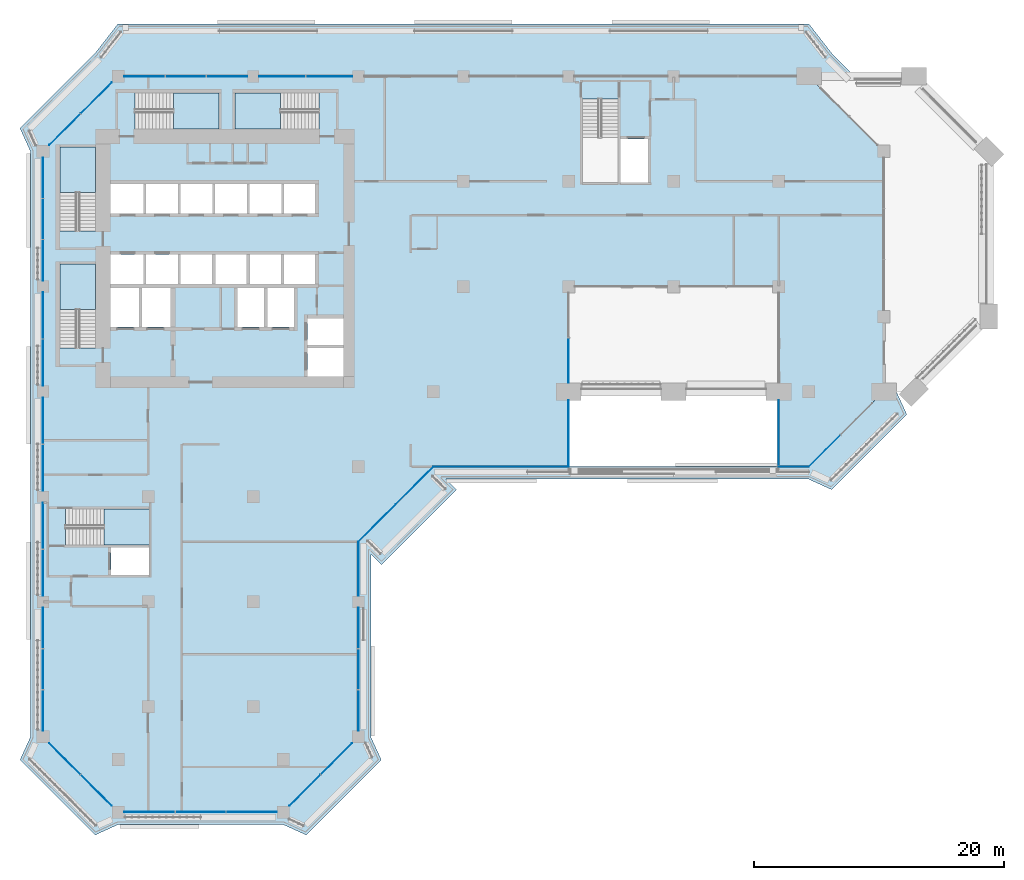
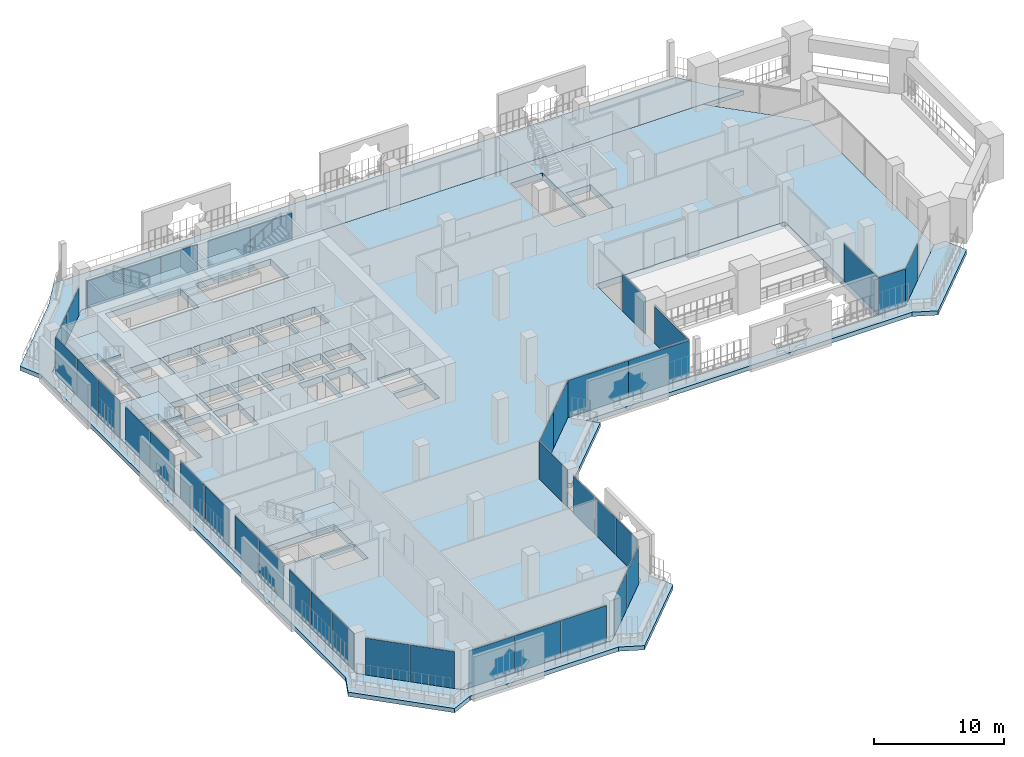
# One storey, part 9 of 23: 39 plates, 7 slabs, 18 elements without a shape of their own.
"""IFC4 building model written with IfcOpenShell, lengths in metres."""

from ifc_helpers import new_model, si_unit, direction, frame, origin, origin_2d, place, context, subcontext, project, spatial, polyline, rectangle, outline, extrude, material, layer, layer_set, type_object, element, aggregate, save


model = new_model("IFC4")

# Units and contexts
model_context = context("Model", 3, precision=1e-05, world=origin(), true_north=direction((0.0, 1.0)))
body_context = subcontext(model_context, "Body", "Model", "MODEL_VIEW")
ifc_project = project(units=[si_unit("LENGTHUNIT", "METRE"), si_unit("AREAUNIT", "SQUARE_METRE"), si_unit("VOLUMEUNIT", "CUBIC_METRE"), si_unit("PLANEANGLEUNIT", "RADIAN"), si_unit("MASSUNIT", "GRAM", prefix="KILO")], contexts=[model_context])

# Site, building, storey
site_placement = place(None, origin())
site = spatial("IfcSite", under=ifc_project, at=site_placement, CompositionType="ELEMENT")
building_placement = place(site_placement, origin())
building = spatial("IfcBuilding", under=site, at=building_placement, Name="Kawkab Arch Medical Tower", CompositionType="ELEMENT")
storey_placement = place(building_placement, frame((0.0, 0.0, 158.39990234375)))
storey = spatial("IfcBuildingStorey", under=building, at=storey_placement, Name="L36", CompositionType="ELEMENT", Elevation=158.39990234375)

# Curtain wall, plates
ifc_material_1 = material(Name="Bronze anodised aluminium curtain wall frame", Category="aluminium")
ifc_layer_1 = layer(ifc_material_1, 0.159912109375)
ifc_layer_set_1 = layer_set([ifc_layer_1], Name="Bronze anodised aluminium curtain wall frame")
curtain_wall_type_1 = type_object("IfcCurtainWallType", Name="CW1 ward curtain wall", PredefinedType="NOTDEFINED", material=ifc_layer_set_1)
placement_1 = place(storey_placement, origin())
curtain_wall_1 = element("IfcCurtainWall", 1, at=placement_1, inside=storey, type_object=curtain_wall_type_1, Name="CW1 Ward curtain wall R01", PredefinedType="NOTDEFINED")
ifc_material_2 = material(Name="Tinted insulating glass, bronze low-e coating", Category="glass")
ifc_layer_2 = layer(ifc_material_2, 0.031982421875)
ifc_layer_set_2 = layer_set([ifc_layer_2], Name="Tinted insulating glass, bronze low-e coating")
plate_type_1 = type_object("IfcPlateType", Name="CW1 glazing unit 32", PredefinedType="CURTAIN_PANEL", material=ifc_layer_set_2)
plate_1_placement = place(storey_placement, frame((33.89990234375, -31.199951171875, 0.0), z_axis=(0.0, 0.0, 1.0), x_axis=(1.0, 0.0, 0.0)))
plate_1 = element("IfcPlate", 2, at=plate_1_placement, type_object=plate_type_1, Name="CW1 glazing unit 1.1", PredefinedType="CURTAIN_PANEL", context=body_context, shape_type="SweptSolid", body=[
    extrude(rectangle(XDim=5.39990234375, YDim=0.031982421875, at=origin_2d()), origin(), (0.0, 0.0, 1.0), 3.47998046875),
])
plate_2_placement = place(storey_placement, frame((39.300048828125, -31.199951171875, 0.0), z_axis=(0.0, 0.0, 1.0), x_axis=(1.0, 0.0, 0.0)))
plate_2 = element("IfcPlate", 3, at=plate_2_placement, type_object=plate_type_1, Name="CW1 glazing unit 2.1", PredefinedType="CURTAIN_PANEL", context=body_context, shape_type="SweptSolid", body=[
    extrude(rectangle(XDim=5.39990234375, YDim=0.031982421875, at=origin_2d()), origin(), (0.0, 0.0, 1.0), 3.47998046875),
])
aggregate(curtain_wall_1, [plate_1, plate_2])

# Curtain wall, plate
curtain_wall_2 = element("IfcCurtainWall", 4, at=placement_1, inside=storey, type_object=curtain_wall_type_1, Name="CW1 Ward curtain wall R05", PredefinedType="NOTDEFINED")
plate_3_placement = place(storey_placement, frame((60.0, -31.199951171875, 0.0), z_axis=(0.0, 0.0, 1.0), x_axis=(1.0, 0.0, 0.0)))
plate_3 = element("IfcPlate", 5, at=plate_3_placement, type_object=plate_type_1, Name="CW1 glazing unit 1.1", PredefinedType="CURTAIN_PANEL", context=body_context, shape_type="SweptSolid", body=[
    extrude(rectangle(XDim=2.39990234375, YDim=0.031982421875, at=origin_2d()), origin(), (0.0, 0.0, 1.0), 3.47998046875),
])
aggregate(curtain_wall_2, [plate_3])

# Curtain wall, plates
curtain_wall_3 = element("IfcCurtainWall", 6, at=placement_1, inside=storey, type_object=curtain_wall_type_1, Name="CW1 Ward curtain wall R09", PredefinedType="NOTDEFINED")
plate_4_placement = place(storey_placement, frame((22.87744140625, 0.0, 0.0), z_axis=(0.0, 0.0, 1.0), x_axis=(-1.0, 0.0, 0.0)))
plate_4 = element("IfcPlate", 7, at=plate_4_placement, type_object=plate_type_1, Name="CW1 glazing unit 5.1", PredefinedType="CURTAIN_PANEL", context=body_context, shape_type="SweptSolid", body=[
    extrude(rectangle(XDim=3.695068359375, YDim=0.031982421875, at=origin_2d()), origin(), (0.0, 0.0, 1.0), 2.580078125),
])
plate_5_placement = place(storey_placement, frame((19.12255859375, 0.0, 0.0), z_axis=(0.0, 0.0, 1.0), x_axis=(-1.0, 0.0, 0.0)))
plate_5 = element("IfcPlate", 8, at=plate_5_placement, type_object=plate_type_1, Name="CW1 glazing unit 5.2", PredefinedType="CURTAIN_PANEL", context=body_context, shape_type="SweptSolid", body=[
    extrude(rectangle(XDim=3.695068359375, YDim=0.031982421875, at=origin_2d()), origin(), (0.0, 0.0, 1.0), 2.580078125),
])
plate_6_placement = place(storey_placement, frame((14.702392578125, 0.0, 0.0), z_axis=(0.0, 0.0, 1.0), x_axis=(-1.0, 0.0, 0.0)))
plate_6 = element("IfcPlate", 9, at=plate_6_placement, type_object=plate_type_1, Name="CW1 glazing unit 6.1", PredefinedType="CURTAIN_PANEL", context=body_context, shape_type="SweptSolid", body=[
    extrude(rectangle(XDim=3.2451171875, YDim=0.031982421875, at=origin_2d()), origin(), (0.0, 0.0, 1.0), 2.580078125),
])
plate_7_placement = place(storey_placement, frame((11.41259765625, 0.0, 0.0), z_axis=(0.0, 0.0, 1.0), x_axis=(-1.0, 0.0, 0.0)))
plate_7 = element("IfcPlate", 10, at=plate_7_placement, type_object=plate_type_1, Name="CW1 glazing unit 6.2", PredefinedType="CURTAIN_PANEL", context=body_context, shape_type="SweptSolid", body=[
    extrude(rectangle(XDim=3.215087890625, YDim=0.031982421875, at=origin_2d()), origin(), (0.0, 0.0, 1.0), 2.580078125),
])
plate_8_placement = place(storey_placement, frame((8.12255859375, 0.0, 0.0), z_axis=(0.0, 0.0, 1.0), x_axis=(-1.0, 0.0, 0.0)))
plate_8 = element("IfcPlate", 11, at=plate_8_placement, type_object=plate_type_1, Name="CW1 glazing unit 6.3", PredefinedType="CURTAIN_PANEL", context=body_context, shape_type="SweptSolid", body=[
    extrude(rectangle(XDim=3.2451171875, YDim=0.031982421875, at=origin_2d()), origin(), (0.0, 0.0, 1.0), 2.580078125),
])
aggregate(curtain_wall_3, [plate_4, plate_5, plate_6, plate_7, plate_8])

curtain_wall_4 = element("IfcCurtainWall", 12, at=placement_1, inside=storey, type_object=curtain_wall_type_1, Name="CW1 Ward curtain wall R11", PredefinedType="NOTDEFINED")
plate_9_placement = place(storey_placement, frame((0.0, -8.12255859375, 0.0), z_axis=(0.0, 0.0, 1.0), x_axis=(0.0, -1.0, 0.0)))
plate_9 = element("IfcPlate", 13, at=plate_9_placement, type_object=plate_type_1, Name="CW1 glazing unit 1.1", PredefinedType="CURTAIN_PANEL", context=body_context, shape_type="SweptSolid", body=[
    extrude(rectangle(XDim=3.2451171875, YDim=0.031982421875, at=origin_2d()), origin(), (0.0, 0.0, 1.0), 3.47998046875),
])
plate_10_placement = place(storey_placement, frame((0.0, -11.41259765625, 0.0), z_axis=(0.0, 0.0, 1.0), x_axis=(0.0, -1.0, 0.0)))
plate_10 = element("IfcPlate", 14, at=plate_10_placement, type_object=plate_type_1, Name="CW1 glazing unit 1.2", PredefinedType="CURTAIN_PANEL", context=body_context, shape_type="SweptSolid", body=[
    extrude(rectangle(XDim=3.215087890625, YDim=0.031982421875, at=origin_2d()), origin(), (0.0, 0.0, 1.0), 3.47998046875),
])
plate_11_placement = place(storey_placement, frame((0.0, -14.702392578125, 0.0), z_axis=(0.0, 0.0, 1.0), x_axis=(0.0, -1.0, 0.0)))
plate_11 = element("IfcPlate", 15, at=plate_11_placement, type_object=plate_type_1, Name="CW1 glazing unit 1.3", PredefinedType="CURTAIN_PANEL", context=body_context, shape_type="SweptSolid", body=[
    extrude(rectangle(XDim=3.2451171875, YDim=0.031982421875, at=origin_2d()), origin(), (0.0, 0.0, 1.0), 3.47998046875),
])
plate_12_placement = place(storey_placement, frame((0.0, -19.12255859375, 0.0), z_axis=(0.0, 0.0, 1.0), x_axis=(0.0, -1.0, 0.0)))
plate_12 = element("IfcPlate", 16, at=plate_12_placement, type_object=plate_type_1, Name="CW1 glazing unit 2.1", PredefinedType="CURTAIN_PANEL", context=body_context, shape_type="SweptSolid", body=[
    extrude(rectangle(XDim=3.695068359375, YDim=0.031982421875, at=origin_2d()), origin(), (0.0, 0.0, 1.0), 3.47998046875),
])
plate_13_placement = place(storey_placement, frame((0.0, -22.87744140625, 0.0), z_axis=(0.0, 0.0, 1.0), x_axis=(0.0, -1.0, 0.0)))
plate_13 = element("IfcPlate", 17, at=plate_13_placement, type_object=plate_type_1, Name="CW1 glazing unit 2.2", PredefinedType="CURTAIN_PANEL", context=body_context, shape_type="SweptSolid", body=[
    extrude(rectangle(XDim=3.695068359375, YDim=0.031982421875, at=origin_2d()), origin(), (0.0, 0.0, 1.0), 3.47998046875),
])
plate_14_placement = place(storey_placement, frame((0.0, -27.5224609375, 0.0), z_axis=(0.0, 0.0, 1.0), x_axis=(0.0, -1.0, 0.0)))
plate_14 = element("IfcPlate", 18, at=plate_14_placement, type_object=plate_type_1, Name="CW1 glazing unit 3.1", PredefinedType="CURTAIN_PANEL", context=body_context, shape_type="SweptSolid", body=[
    extrude(rectangle(XDim=3.695068359375, YDim=0.031982421875, at=origin_2d()), origin(), (0.0, 0.0, 1.0), 3.47998046875),
])
plate_15_placement = place(storey_placement, frame((0.0, -31.277587890625, 0.0), z_axis=(0.0, 0.0, 1.0), x_axis=(0.0, -1.0, 0.0)))
plate_15 = element("IfcPlate", 19, at=plate_15_placement, type_object=plate_type_1, Name="CW1 glazing unit 3.2", PredefinedType="CURTAIN_PANEL", context=body_context, shape_type="SweptSolid", body=[
    extrude(rectangle(XDim=3.695068359375, YDim=0.031982421875, at=origin_2d()), origin(), (0.0, 0.0, 1.0), 3.47998046875),
])
plate_16_placement = place(storey_placement, frame((0.0, -35.922607421875, 0.0), z_axis=(0.0, 0.0, 1.0), x_axis=(0.0, -1.0, 0.0)))
plate_16 = element("IfcPlate", 20, at=plate_16_placement, type_object=plate_type_1, Name="CW1 glazing unit 4.1", PredefinedType="CURTAIN_PANEL", context=body_context, shape_type="SweptSolid", body=[
    extrude(rectangle(XDim=3.695068359375, YDim=0.031982421875, at=origin_2d()), origin(), (0.0, 0.0, 1.0), 3.47998046875),
])
plate_17_placement = place(storey_placement, frame((0.0, -39.677490234375, 0.0), z_axis=(0.0, 0.0, 1.0), x_axis=(0.0, -1.0, 0.0)))
plate_17 = element("IfcPlate", 21, at=plate_17_placement, type_object=plate_type_1, Name="CW1 glazing unit 4.2", PredefinedType="CURTAIN_PANEL", context=body_context, shape_type="SweptSolid", body=[
    extrude(rectangle(XDim=3.695068359375, YDim=0.031982421875, at=origin_2d()), origin(), (0.0, 0.0, 1.0), 3.47998046875),
])
plate_18_placement = place(storey_placement, frame((0.0, -44.097412109375, 0.0), z_axis=(0.0, 0.0, 1.0), x_axis=(0.0, -1.0, 0.0)))
plate_18 = element("IfcPlate", 22, at=plate_18_placement, type_object=plate_type_1, Name="CW1 glazing unit 5.1", PredefinedType="CURTAIN_PANEL", context=body_context, shape_type="SweptSolid", body=[
    extrude(rectangle(XDim=3.2451171875, YDim=0.031982421875, at=origin_2d()), origin(), (0.0, 0.0, 1.0), 3.47998046875),
])
plate_19_placement = place(storey_placement, frame((0.0, -47.387451171875, 0.0), z_axis=(0.0, 0.0, 1.0), x_axis=(0.0, -1.0, 0.0)))
plate_19 = element("IfcPlate", 23, at=plate_19_placement, type_object=plate_type_1, Name="CW1 glazing unit 5.2", PredefinedType="CURTAIN_PANEL", context=body_context, shape_type="SweptSolid", body=[
    extrude(rectangle(XDim=3.215087890625, YDim=0.031982421875, at=origin_2d()), origin(), (0.0, 0.0, 1.0), 3.47998046875),
])
plate_20_placement = place(storey_placement, frame((0.0, -50.677490234375, 0.0), z_axis=(0.0, 0.0, 1.0), x_axis=(0.0, -1.0, 0.0)))
plate_20 = element("IfcPlate", 24, at=plate_20_placement, type_object=plate_type_1, Name="CW1 glazing unit 5.3", PredefinedType="CURTAIN_PANEL", context=body_context, shape_type="SweptSolid", body=[
    extrude(rectangle(XDim=3.2451171875, YDim=0.031982421875, at=origin_2d()), origin(), (0.0, 0.0, 1.0), 3.47998046875),
])
aggregate(curtain_wall_4, [plate_9, plate_10, plate_11, plate_12, plate_13, plate_14, plate_15, plate_16, plate_17, plate_18, plate_19, plate_20])

curtain_wall_5 = element("IfcCurtainWall", 25, at=placement_1, inside=storey, type_object=curtain_wall_type_1, Name="CW1 Ward curtain wall R13", PredefinedType="NOTDEFINED")
plate_21_placement = place(storey_placement, frame((8.518310546875, -58.800048828125, 0.0), z_axis=(0.0, 0.0, 1.0), x_axis=(1.0, 0.0, 0.0)))
plate_21 = element("IfcPlate", 26, at=plate_21_placement, type_object=plate_type_1, Name="CW1 glazing unit 1.1", PredefinedType="CURTAIN_PANEL", context=body_context, shape_type="SweptSolid", body=[
    extrude(rectangle(XDim=4.03662109375, YDim=0.031982421875, at=origin_2d()), origin(), (0.0, 0.0, 1.0), 3.47998046875),
])
plate_22_placement = place(storey_placement, frame((12.60009765625, -58.800048828125, 0.0), z_axis=(0.0, 0.0, 1.0), x_axis=(1.0, 0.0, 0.0)))
plate_22 = element("IfcPlate", 27, at=plate_22_placement, type_object=plate_type_1, Name="CW1 glazing unit 1.2", PredefinedType="CURTAIN_PANEL", context=body_context, shape_type="SweptSolid", body=[
    extrude(rectangle(XDim=4.006591796875, YDim=0.031982421875, at=origin_2d()), origin(), (0.0, 0.0, 1.0), 3.47998046875),
])
plate_23_placement = place(storey_placement, frame((16.681640625, -58.800048828125, 0.0), z_axis=(0.0, 0.0, 1.0), x_axis=(1.0, 0.0, 0.0)))
plate_23 = element("IfcPlate", 28, at=plate_23_placement, type_object=plate_type_1, Name="CW1 glazing unit 1.3", PredefinedType="CURTAIN_PANEL", context=body_context, shape_type="SweptSolid", body=[
    extrude(rectangle(XDim=4.03662109375, YDim=0.031982421875, at=origin_2d()), origin(), (0.0, 0.0, 1.0), 3.47998046875),
])
aggregate(curtain_wall_5, [plate_21, plate_22, plate_23])

curtain_wall_6 = element("IfcCurtainWall", 29, at=placement_1, inside=storey, type_object=curtain_wall_type_1, Name="CW1 Ward curtain wall R15", PredefinedType="NOTDEFINED")
plate_24_placement = place(storey_placement, frame((25.199951171875, -50.677490234375, 0.0), z_axis=(0.0, 0.0, 1.0), x_axis=(0.0, 1.0, 0.0)))
plate_24 = element("IfcPlate", 30, at=plate_24_placement, type_object=plate_type_1, Name="CW1 glazing unit 1.1", PredefinedType="CURTAIN_PANEL", context=body_context, shape_type="SweptSolid", body=[
    extrude(rectangle(XDim=3.2451171875, YDim=0.031982421875, at=origin_2d()), origin(), (0.0, 0.0, 1.0), 3.47998046875),
])
plate_25_placement = place(storey_placement, frame((25.199951171875, -47.387451171875, 0.0), z_axis=(0.0, 0.0, 1.0), x_axis=(0.0, 1.0, 0.0)))
plate_25 = element("IfcPlate", 31, at=plate_25_placement, type_object=plate_type_1, Name="CW1 glazing unit 1.2", PredefinedType="CURTAIN_PANEL", context=body_context, shape_type="SweptSolid", body=[
    extrude(rectangle(XDim=3.215087890625, YDim=0.031982421875, at=origin_2d()), origin(), (0.0, 0.0, 1.0), 3.47998046875),
])
plate_26_placement = place(storey_placement, frame((25.199951171875, -44.097412109375, 0.0), z_axis=(0.0, 0.0, 1.0), x_axis=(0.0, 1.0, 0.0)))
plate_26 = element("IfcPlate", 32, at=plate_26_placement, type_object=plate_type_1, Name="CW1 glazing unit 1.3", PredefinedType="CURTAIN_PANEL", context=body_context, shape_type="SweptSolid", body=[
    extrude(rectangle(XDim=3.2451171875, YDim=0.031982421875, at=origin_2d()), origin(), (0.0, 0.0, 1.0), 3.47998046875),
])
plate_27_placement = place(storey_placement, frame((25.199951171875, -39.362548828125, 0.0), z_axis=(0.0, 0.0, 1.0), x_axis=(0.0, 1.0, 0.0)))
plate_27 = element("IfcPlate", 33, at=plate_27_placement, type_object=plate_type_1, Name="CW1 glazing unit 2.1", PredefinedType="CURTAIN_PANEL", context=body_context, shape_type="SweptSolid", body=[
    extrude(rectangle(XDim=4.324951171875, YDim=0.031982421875, at=origin_2d()), origin(), (0.0, 0.0, 1.0), 3.47998046875),
])
aggregate(curtain_wall_6, [plate_24, plate_25, plate_26, plate_27])

# Curtain wall, plate
ifc_material_3 = material(Name="Bronze anodised aluminium curtain wall frame", Category="aluminium")
ifc_layer_3 = layer(ifc_material_3, 0.159912109375)
ifc_layer_set_3 = layer_set([ifc_layer_3], Name="Bronze anodised aluminium curtain wall frame")
curtain_wall_type_2 = type_object("IfcCurtainWallType", Name="CW2 chamfer curtain wall", PredefinedType="NOTDEFINED", material=ifc_layer_set_3)
curtain_wall_7 = element("IfcCurtainWall", 34, at=placement_1, inside=storey, type_object=curtain_wall_type_2, Name="CW2 Chamfer curtain wall R06", PredefinedType="NOTDEFINED")
ifc_material_4 = material(Name="Tinted insulating glass, bronze low-e coating", Category="glass")
ifc_layer_4 = layer(ifc_material_4, 0.031982421875)
ifc_layer_set_4 = layer_set([ifc_layer_4], Name="Tinted insulating glass, bronze low-e coating")
plate_type_2 = type_object("IfcPlateType", Name="CW2 glazing unit 32", PredefinedType="CURTAIN_PANEL", material=ifc_layer_set_4)
plate_28_placement = place(storey_placement, frame((62.456787109375, -29.943115234375, 0.0), z_axis=(0.0, 0.0, 1.0), x_axis=(0.707106781187, 0.707106781187, 0.0)))
plate_28 = element("IfcPlate", 35, at=plate_28_placement, type_object=plate_type_2, Name="CW2 glazing unit 1.1", PredefinedType="CURTAIN_PANEL", context=body_context, shape_type="SweptSolid", body=[
    extrude(rectangle(XDim=3.5546875, YDim=0.031982421875, at=origin_2d()), origin(), (0.0, 0.0, 1.0), 3.4599609375),
])
aggregate(curtain_wall_7, [plate_28])

# Curtain wall, plates
curtain_wall_8 = element("IfcCurtainWall", 36, at=placement_1, inside=storey, type_object=curtain_wall_type_2, Name="CW2 Chamfer curtain wall R10", PredefinedType="NOTDEFINED")
plate_29_placement = place(storey_placement, frame((4.260498046875, -1.739501953125, 0.0), z_axis=(0.0, 0.0, 1.0), x_axis=(-0.707106781187, -0.707106781187, 0.0)))
plate_29 = element("IfcPlate", 37, at=plate_29_placement, type_object=plate_type_2, Name="CW2 glazing unit 1.1", PredefinedType="CURTAIN_PANEL", context=body_context, shape_type="SweptSolid", body=[
    extrude(rectangle(XDim=3.505615234375, YDim=0.031982421875, at=origin_2d()), origin(), (0.0, 0.0, 1.0), 2.56005859375),
])
plate_30_placement = place(storey_placement, frame((1.739501953125, -4.260498046875, 0.0), z_axis=(0.0, 0.0, 1.0), x_axis=(-0.707106781187, -0.707106781187, 0.0)))
plate_30 = element("IfcPlate", 38, at=plate_30_placement, type_object=plate_type_2, Name="CW2 glazing unit 1.2", PredefinedType="CURTAIN_PANEL", context=body_context, shape_type="SweptSolid", body=[
    extrude(rectangle(XDim=3.505615234375, YDim=0.031982421875, at=origin_2d()), origin(), (0.0, 0.0, 1.0), 2.56005859375),
])
aggregate(curtain_wall_8, [plate_29, plate_30])

curtain_wall_9 = element("IfcCurtainWall", 39, at=placement_1, inside=storey, type_object=curtain_wall_type_2, Name="CW2 Chamfer curtain wall R12", PredefinedType="NOTDEFINED")
plate_31_placement = place(storey_placement, frame((1.739501953125, -54.539306640625, 0.0), z_axis=(0.0, 0.0, 1.0), x_axis=(0.707106781187, -0.707106781187, 0.0)))
plate_31 = element("IfcPlate", 40, at=plate_31_placement, type_object=plate_type_2, Name="CW2 glazing unit 1.1", PredefinedType="CURTAIN_PANEL", context=body_context, shape_type="SweptSolid", body=[
    extrude(rectangle(XDim=3.505615234375, YDim=0.031982421875, at=origin_2d()), origin(), (0.0, 0.0, 1.0), 3.4599609375),
])
plate_32_placement = place(storey_placement, frame((4.260498046875, -57.060546875, 0.0), z_axis=(0.0, 0.0, 1.0), x_axis=(0.707106781187, -0.707106781187, 0.0)))
plate_32 = element("IfcPlate", 41, at=plate_32_placement, type_object=plate_type_2, Name="CW2 glazing unit 1.2", PredefinedType="CURTAIN_PANEL", context=body_context, shape_type="SweptSolid", body=[
    extrude(rectangle(XDim=3.505615234375, YDim=0.031982421875, at=origin_2d()), origin(), (0.0, 0.0, 1.0), 3.4599609375),
])
aggregate(curtain_wall_9, [plate_31, plate_32])

curtain_wall_10 = element("IfcCurtainWall", 42, at=placement_1, inside=storey, type_object=curtain_wall_type_2, Name="CW2 Chamfer curtain wall R14", PredefinedType="NOTDEFINED")
plate_33_placement = place(storey_placement, frame((20.939453125, -57.060546875, 0.0), z_axis=(0.0, 0.0, 1.0), x_axis=(0.707106781187, 0.707106781187, 0.0)))
plate_33 = element("IfcPlate", 43, at=plate_33_placement, type_object=plate_type_2, Name="CW2 glazing unit 1.1", PredefinedType="CURTAIN_PANEL", context=body_context, shape_type="SweptSolid", body=[
    extrude(rectangle(XDim=3.505615234375, YDim=0.031982421875, at=origin_2d()), origin(), (0.0, 0.0, 1.0), 3.4599609375),
])
plate_34_placement = place(storey_placement, frame((23.460693359375, -54.539306640625, 0.0), z_axis=(0.0, 0.0, 1.0), x_axis=(0.707106781187, 0.707106781187, 0.0)))
plate_34 = element("IfcPlate", 44, at=plate_34_placement, type_object=plate_type_2, Name="CW2 glazing unit 1.2", PredefinedType="CURTAIN_PANEL", context=body_context, shape_type="SweptSolid", body=[
    extrude(rectangle(XDim=3.505615234375, YDim=0.031982421875, at=origin_2d()), origin(), (0.0, 0.0, 1.0), 3.4599609375),
])
aggregate(curtain_wall_10, [plate_33, plate_34])

curtain_wall_11 = element("IfcCurtainWall", 45, at=placement_1, inside=storey, type_object=curtain_wall_type_2, Name="CW2 Chamfer curtain wall R16", PredefinedType="NOTDEFINED")
plate_35_placement = place(storey_placement, frame((26.699951171875, -35.699951171875, 0.0), z_axis=(0.0, 0.0, 1.0), x_axis=(0.707106781187, 0.707106781187, 0.0)))
plate_35 = element("IfcPlate", 46, at=plate_35_placement, type_object=plate_type_2, Name="CW2 glazing unit 1.1", PredefinedType="CURTAIN_PANEL", context=body_context, shape_type="SweptSolid", body=[
    extrude(rectangle(XDim=4.24267578125, YDim=0.031982421875, at=origin_2d()), origin(), (0.0, 0.0, 1.0), 3.4599609375),
])
plate_36_placement = place(storey_placement, frame((29.699951171875, -32.699951171875, 0.0), z_axis=(0.0, 0.0, 1.0), x_axis=(0.707106781187, 0.707106781187, 0.0)))
plate_36 = element("IfcPlate", 47, at=plate_36_placement, type_object=plate_type_2, Name="CW2 glazing unit 2.1", PredefinedType="CURTAIN_PANEL", context=body_context, shape_type="SweptSolid", body=[
    extrude(rectangle(XDim=4.24267578125, YDim=0.031982421875, at=origin_2d()), origin(), (0.0, 0.0, 1.0), 3.4599609375),
])
aggregate(curtain_wall_11, [plate_35, plate_36])

ifc_material_5 = material(Name="Bronze anodised aluminium curtain wall frame", Category="aluminium")
ifc_layer_5 = layer(ifc_material_5, 0.159912109375)
ifc_layer_set_5 = layer_set([ifc_layer_5], Name="Bronze anodised aluminium curtain wall frame")
curtain_wall_type_3 = type_object("IfcCurtainWallType", Name="CW3 sky garden curtain wall", PredefinedType="NOTDEFINED", material=ifc_layer_set_5)
curtain_wall_12 = element("IfcCurtainWall", 48, at=placement_1, inside=storey, type_object=curtain_wall_type_3, Name="CW3 Sky garden curtain wall R02", PredefinedType="NOTDEFINED")
ifc_material_6 = material(Name="Tinted laminated insulating glass, grey-green", Category="glass")
ifc_layer_6 = layer(ifc_material_6, 0.035888671875)
ifc_layer_set_6 = layer_set([ifc_layer_6], Name="Tinted laminated insulating glass, grey-green")
plate_type_3 = type_object("IfcPlateType", Name="CW3 glazing unit 36", PredefinedType="CURTAIN_PANEL", material=ifc_layer_set_6)
plate_37_placement = place(storey_placement, frame((42.0, -28.550048828125, 0.0), z_axis=(0.0, 0.0, 1.0), x_axis=(0.0, 1.0, 0.0)))
plate_37 = element("IfcPlate", 49, at=plate_37_placement, type_object=plate_type_3, Name="CW3 glazing unit 1.1", PredefinedType="CURTAIN_PANEL", context=body_context, shape_type="SweptSolid", body=[
    extrude(rectangle(XDim=5.300048828125, YDim=0.035888671875, at=origin_2d()), origin(), (0.0, 0.0, 1.0), 3.4599609375),
])
plate_38_placement = place(storey_placement, frame((42.0, -22.717529296875, 0.0), z_axis=(0.0, 0.0, 1.0), x_axis=(0.0, 1.0, 0.0)))
plate_38 = element("IfcPlate", 50, at=plate_38_placement, type_object=plate_type_3, Name="CW3 glazing unit 2.1", PredefinedType="CURTAIN_PANEL", context=body_context, shape_type="SweptSolid", body=[
    extrude(rectangle(XDim=3.56494140625, YDim=0.035888671875, at=origin_2d()), origin(), (0.0, 0.0, 1.0), 3.4599609375),
])
aggregate(curtain_wall_12, [plate_37, plate_38])

# Curtain wall, plate
curtain_wall_13 = element("IfcCurtainWall", 51, at=placement_1, inside=storey, type_object=curtain_wall_type_3, Name="CW3 Sky garden curtain wall R04", PredefinedType="NOTDEFINED")
plate_39_placement = place(storey_placement, frame((58.800048828125, -28.550048828125, 0.0), z_axis=(0.0, 0.0, 1.0), x_axis=(0.0, -1.0, 0.0)))
plate_39 = element("IfcPlate", 52, at=plate_39_placement, type_object=plate_type_3, Name="CW3 glazing unit 2.1", PredefinedType="CURTAIN_PANEL", context=body_context, shape_type="SweptSolid", body=[
    extrude(rectangle(XDim=5.300048828125, YDim=0.035888671875, at=origin_2d()), origin(), (0.0, 0.0, 1.0), 3.4599609375),
])
aggregate(curtain_wall_13, [plate_39])

# Stair, slab
ifc_material_7 = material(Name="Concrete C40/50", Category="concrete")
stair_type = type_object("IfcStairType", Name="Exit stair 1350", PredefinedType="HALF_TURN_STAIR", material=ifc_material_7)
stair_1 = element("IfcStair", 53, at=placement_1, inside=storey, type_object=stair_type, Name="L36 Exit stair ST1", PredefinedType="HALF_TURN_STAIR")
ifc_material_8 = material(Name="Concrete C40/50", Category="concrete")
ifc_layer_7 = layer(ifc_material_8, 0.199951171875)
ifc_layer_set_7 = layer_set([ifc_layer_7], Name="Concrete C40/50")
slab_type_1 = type_object("IfcSlabType", Name="Exit stair landing 200", PredefinedType="LANDING", material=ifc_layer_set_7)
placement_2 = place(storey_placement, frame((0.0, 0.0, 1.900146484375)))
slab_1 = element("IfcSlab", 54, at=placement_2, type_object=slab_type_1, Name="ST1 landing 1", PredefinedType="LANDING", context=body_context, shape_type="SweptSolid", body=[
    extrude(outline(polyline([(4.199951171875, -9.27001953125), (4.199951171875, -5.64990234375), (1.35009765625, -5.64990234375), (1.35009765625, -9.27001953125), (4.199951171875, -9.27001953125)])), origin(), (0.0, 0.0, 1.0), 0.199951171875),
])
aggregate(stair_1, [slab_1])

stair_2 = element("IfcStair", 55, at=placement_1, inside=storey, type_object=stair_type, Name="L36 Exit stair ST2", PredefinedType="HALF_TURN_STAIR")
slab_2 = element("IfcSlab", 56, at=placement_2, type_object=slab_type_1, Name="ST2 landing 1", PredefinedType="LANDING", context=body_context, shape_type="SweptSolid", body=[
    extrude(outline(polyline([(4.199951171875, -18.6201171875), (4.199951171875, -15.0), (1.35009765625, -15.0), (1.35009765625, -18.6201171875), (4.199951171875, -18.6201171875)])), origin(), (0.0, 0.0, 1.0), 0.199951171875),
])
aggregate(stair_2, [slab_2])

stair_3 = element("IfcStair", 57, at=placement_1, inside=storey, type_object=stair_type, Name="L36 Exit stair ST3", PredefinedType="HALF_TURN_STAIR")
slab_3 = element("IfcSlab", 58, at=placement_2, type_object=slab_type_1, Name="ST3 landing 1", PredefinedType="LANDING", context=body_context, shape_type="SweptSolid", body=[
    extrude(outline(polyline([(10.429931640625, -4.199951171875), (14.050048828125, -4.199951171875), (14.050048828125, -1.35009765625), (10.429931640625, -1.35009765625), (10.429931640625, -4.199951171875)])), origin(), (0.0, 0.0, 1.0), 0.199951171875),
])
aggregate(stair_3, [slab_3])

stair_4 = element("IfcStair", 59, at=placement_1, inside=storey, type_object=stair_type, Name="L36 Exit stair ST4", PredefinedType="HALF_TURN_STAIR")
slab_4 = element("IfcSlab", 60, at=placement_2, type_object=slab_type_1, Name="ST4 landing 1", PredefinedType="LANDING", context=body_context, shape_type="SweptSolid", body=[
    extrude(outline(polyline([(18.969970703125, -1.35009765625), (15.35009765625, -1.35009765625), (15.35009765625, -4.199951171875), (18.969970703125, -4.199951171875), (18.969970703125, -1.35009765625)])), origin(), (0.0, 0.0, 1.0), 0.199951171875),
])
aggregate(stair_4, [slab_4])

stair_5 = element("IfcStair", 61, at=placement_1, inside=storey, type_object=stair_type, Name="L36 Exit stair ST6", PredefinedType="HALF_TURN_STAIR")
slab_5 = element("IfcSlab", 62, at=placement_2, type_object=slab_type_1, Name="ST6 landing 1", PredefinedType="LANDING", context=body_context, shape_type="SweptSolid", body=[
    extrude(outline(polyline([(4.8798828125, -37.449951171875), (8.5, -37.449951171875), (8.5, -34.60009765625), (4.8798828125, -34.60009765625), (4.8798828125, -37.449951171875)])), origin(), (0.0, 0.0, 1.0), 0.199951171875),
])
aggregate(stair_5, [slab_5])

# Slabs
ifc_material_9 = material(Name="Concrete C45/55", Category="concrete")
ifc_layer_8 = layer(ifc_material_9, 0.60009765625)
ifc_layer_set_8 = layer_set([ifc_layer_8], Name="Concrete C45/55")
slab_type_2 = type_object("IfcSlabType", Name="Flat plate 600 C45/55", PredefinedType="FLOOR", material=ifc_layer_set_8)
slab_6_placement = place(storey_placement, frame((0.0, 0.0, -0.599853515625)))
element("IfcSlab", 63, at=slab_6_placement, inside=storey, type_object=slab_type_2, Name="Floor slab L36", PredefinedType="FLOOR", context=body_context, shape_type="SweptSolid", body=[
    extrude(outline(polyline([(25.199951171875, -37.199951171875), (25.199951171875, -52.800048828125), (19.199951171875, -58.800048828125), (6.0, -58.800048828125), (0.0, -52.800048828125), (0.0, -6.0), (6.0, 0.0), (61.199951171875, 0.0), (67.199951171875, -6.0), (67.199951171875, -25.199951171875), (61.199951171875, -31.199951171875), (58.800048828125, -31.199951171875), (58.800048828125, -16.800048828125), (42.0, -16.800048828125), (42.0, -31.199951171875), (31.199951171875, -31.199951171875), (25.199951171875, -37.199951171875)]), holes=[polyline([(5.425048828125, -37.64990234375), (5.425048828125, -39.85009765625), (8.5, -39.85009765625), (8.5, -37.64990234375), (5.425048828125, -37.64990234375)]), polyline([(1.800048828125, -37.449951171875), (8.5, -37.449951171875), (8.5, -34.60009765625), (1.800048828125, -34.60009765625), (1.800048828125, -37.449951171875)]), polyline([(5.39990234375, -16.89990234375), (5.39990234375, -20.050048828125), (7.675048828125, -20.050048828125), (7.675048828125, -16.89990234375), (5.39990234375, -16.89990234375)]), polyline([(10.199951171875, -16.89990234375), (7.925048828125, -16.89990234375), (7.925048828125, -20.050048828125), (10.199951171875, -20.050048828125), (10.199951171875, -16.89990234375)]), polyline([(4.199951171875, -21.699951171875), (4.199951171875, -15.0), (1.35009765625, -15.0), (1.35009765625, -21.699951171875), (4.199951171875, -21.699951171875)]), polyline([(5.39990234375, -14.25), (5.39990234375, -16.60009765625), (8.050048828125, -16.60009765625), (8.050048828125, -14.25), (5.39990234375, -14.25)]), polyline([(8.25, -14.25), (8.25, -16.60009765625), (10.800048828125, -16.60009765625), (10.800048828125, -14.25), (8.25, -14.25)]), polyline([(11.0, -16.60009765625), (13.52490234375, -16.60009765625), (13.52490234375, -14.25), (11.0, -14.25), (11.0, -16.60009765625)]), polyline([(5.39990234375, -8.60009765625), (5.39990234375, -10.949951171875), (8.050048828125, -10.949951171875), (8.050048828125, -8.60009765625), (5.39990234375, -8.60009765625)]), polyline([(8.25, -8.60009765625), (8.25, -10.949951171875), (10.800048828125, -10.949951171875), (10.800048828125, -8.60009765625), (8.25, -8.60009765625)]), polyline([(13.550048828125, -10.949951171875), (13.550048828125, -8.60009765625), (11.0, -8.60009765625), (11.0, -10.949951171875), (13.550048828125, -10.949951171875)]), polyline([(4.199951171875, -12.35009765625), (4.199951171875, -5.64990234375), (1.35009765625, -5.64990234375), (1.35009765625, -12.35009765625), (4.199951171875, -12.35009765625)]), polyline([(7.35009765625, -4.199951171875), (14.050048828125, -4.199951171875), (14.050048828125, -1.35009765625), (7.35009765625, -1.35009765625), (7.35009765625, -4.199951171875)]), polyline([(24.0, -21.72509765625), (21.14990234375, -21.72509765625), (21.14990234375, -24.0), (24.0, -24.0), (24.0, -21.72509765625)]), polyline([(24.0, -21.47509765625), (24.0, -19.35009765625), (21.14990234375, -19.35009765625), (21.14990234375, -21.47509765625), (24.0, -21.47509765625)]), polyline([(15.52490234375, -20.050048828125), (17.675048828125, -20.050048828125), (17.675048828125, -16.89990234375), (15.52490234375, -16.89990234375), (15.52490234375, -20.050048828125)]), polyline([(20.050048828125, -20.050048828125), (20.050048828125, -16.89990234375), (17.925048828125, -16.89990234375), (17.925048828125, -20.050048828125), (20.050048828125, -20.050048828125)]), polyline([(13.77490234375, -14.25), (13.77490234375, -16.60009765625), (16.27490234375, -16.60009765625), (16.27490234375, -14.25), (13.77490234375, -14.25)]), polyline([(16.52490234375, -14.25), (16.52490234375, -16.60009765625), (19.02490234375, -16.60009765625), (19.02490234375, -14.25), (16.52490234375, -14.25)]), polyline([(21.75, -16.60009765625), (21.75, -14.25), (19.27490234375, -14.25), (19.27490234375, -16.60009765625), (21.75, -16.60009765625)]), polyline([(13.75, -10.949951171875), (16.300048828125, -10.949951171875), (16.300048828125, -8.60009765625), (13.75, -8.60009765625), (13.75, -10.949951171875)]), polyline([(16.5, -10.949951171875), (19.050048828125, -10.949951171875), (19.050048828125, -8.60009765625), (16.5, -8.60009765625), (16.5, -10.949951171875)]), polyline([(21.75, -10.949951171875), (21.75, -8.60009765625), (19.25, -8.60009765625), (19.25, -10.949951171875), (21.75, -10.949951171875)]), polyline([(46.14990234375, -5.02490234375), (46.14990234375, -8.5), (48.35009765625, -8.5), (48.35009765625, -5.02490234375), (46.14990234375, -5.02490234375)]), polyline([(43.10009765625, -1.800048828125), (43.10009765625, -8.5), (45.949951171875, -8.5), (45.949951171875, -1.800048828125), (43.10009765625, -1.800048828125)]), polyline([(22.050048828125, -1.35009765625), (15.35009765625, -1.35009765625), (15.35009765625, -4.199951171875), (22.050048828125, -4.199951171875), (22.050048828125, -1.35009765625)])]), origin(), (0.0, 0.0, 1.0), 0.599853515625),
])
ifc_material_10 = material(Name="Concrete C40/50", Category="concrete")
ifc_layer_9 = layer(ifc_material_10, 0.39990234375)
ifc_layer_set_9 = layer_set([ifc_layer_9], Name="Concrete C40/50")
slab_type_3 = type_object("IfcSlabType", Name="Loggia slab 400", PredefinedType="FLOOR", material=ifc_layer_set_9)
slab_7_placement = place(storey_placement, frame((0.0, 0.0, -0.39990234375)))
element("IfcSlab", 64, at=slab_7_placement, inside=storey, type_object=slab_type_3, Name="Loggia slab L36.3", PredefinedType="FLOOR", context=body_context, shape_type="SweptSolid", body=[
    extrude(outline(polyline([(-1.837890625, -54.635986328125), (-1.0, -52.800048828125), (-1.0, -6.0), (-1.837890625, -4.1630859375), (4.162109375, 1.837890625), (5.9990234375, 4.198974609375), (6.0009765625, 4.198974609375), (6.0009765625, 4.199951171875), (61.198974609375, 4.199951171875), (61.198974609375, 4.198974609375), (61.200927734375, 4.198974609375), (63.0380859375, 1.837890625), (64.8740234375, 0.0009765625), (61.219970703125, 0.0009765625), (61.219970703125, 0.0), (61.217041015625, -0.001953125), (61.215087890625, -0.0048828125), (61.214111328125, -0.0048828125), (61.214111328125, -0.010986328125), (61.212890625, -0.010986328125), (61.200927734375, -0.0009765625), (61.200927734375, 0.0009765625), (6.0, 0.0009765625), (-0.0009765625, -6.0), (-0.0009765625, -52.800048828125), (6.0, -58.800048828125), (19.199951171875, -58.800048828125), (25.199951171875, -52.800048828125), (25.199951171875, -37.201904296875), (31.201904296875, -31.199951171875), (61.199951171875, -31.199951171875), (67.200927734375, -25.199951171875), (67.200927734375, -25.198974609375), (67.201904296875, -25.198974609375), (67.202880859375, -25.198974609375), (67.202880859375, -25.199951171875), (67.205078125, -25.199951171875), (67.205078125, -25.200927734375), (68.197998046875, -25.200927734375), (68.197998046875, -25.201904296875), (68.198974609375, -25.201904296875), (68.198974609375, -25.202880859375), (68.199951171875, -25.202880859375), (69.0380859375, -27.035888671875), (63.035888671875, -33.0380859375), (61.199951171875, -32.199951171875), (32.198974609375, -32.199951171875), (33.034912109375, -33.0380859375), (27.0380859375, -39.034912109375), (26.199951171875, -38.198974609375), (26.199951171875, -52.800048828125), (27.0380859375, -54.635986328125), (21.035888671875, -60.637939453125), (19.199951171875, -59.800048828125), (6.0, -59.800048828125), (4.1640625, -60.637939453125), (-1.837890625, -54.635986328125)])), origin(), (0.0, 0.0, 1.0), 0.39990234375),
])

save(model, "model.ifc")
